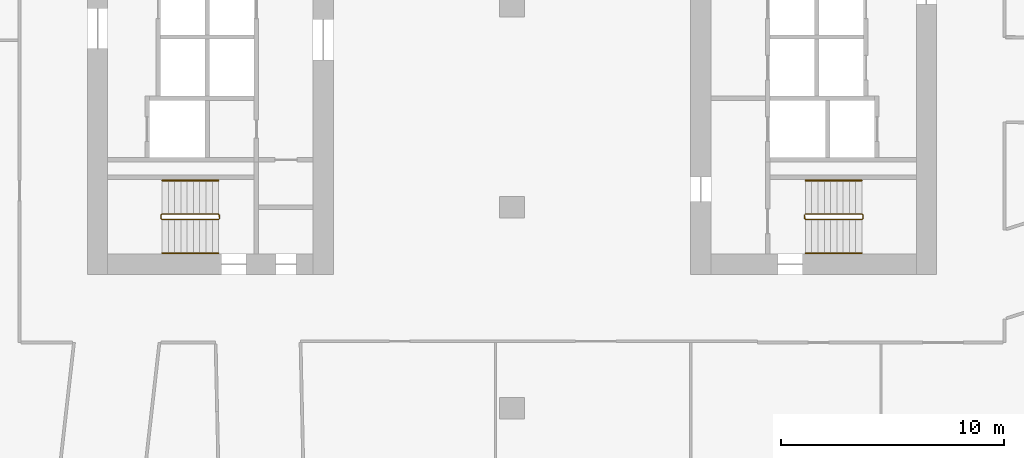
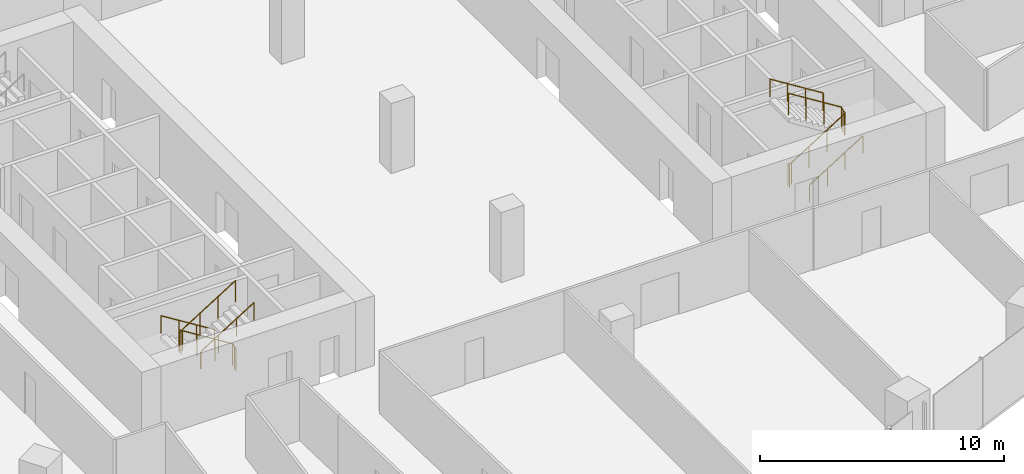
# One storey, part 32 of 34: 6 railings.
"""IFC4 building model written with IfcOpenShell, lengths in metres."""

from ifc_helpers import new_model, si_unit, direction, frame, origin, origin_2d, place, context, subcontext, project, spatial, circle, extrude, material, type_object, element, save


model = new_model("IFC4")

# Units and contexts
model_context = context("Model", 3, precision=1e-05, world=origin(), true_north=direction((0.0, 1.0)))
body_context = subcontext(model_context, "Body", "Model", "MODEL_VIEW")
ifc_project = project(units=[si_unit("LENGTHUNIT", "METRE"), si_unit("AREAUNIT", "SQUARE_METRE"), si_unit("VOLUMEUNIT", "CUBIC_METRE"), si_unit("PLANEANGLEUNIT", "RADIAN"), si_unit("MASSUNIT", "GRAM", prefix="KILO")], contexts=[model_context])

# Site, building, storey
site_placement = place(None, origin())
site = spatial("IfcSite", under=ifc_project, at=site_placement, CompositionType="ELEMENT")
building_placement = place(site_placement, origin())
building = spatial("IfcBuilding", under=site, at=building_placement, Name="Orlundy Tower", CompositionType="ELEMENT")
storey_placement = place(building_placement, frame((0.0, 0.0, 109.199951171875)))
storey = spatial("IfcBuildingStorey", under=building, at=storey_placement, Name="L27", CompositionType="ELEMENT", Elevation=109.199951171875)

# Railings
ifc_material_1 = material(Name="Steel balustrade", Category="steel")
railing_type_1 = type_object("IfcRailingType", Name="Stair Guard 1100", PredefinedType="GUARDRAIL", material=ifc_material_1)
railing_1_placement = place(storey_placement, frame((-13.090087890625, -9.35009765625, 0.0)))
element("IfcRailing", 1, at=railing_1_placement, inside=storey, type_object=railing_type_1, Name="L27 ST-W2 stair guard 1", PredefinedType="GUARDRAIL", context=body_context, shape_type="SweptSolid", body=[
    extrude(circle(Radius=0.02392578125, at=origin_2d()), frame((0.0, 0.0, 1.076171875), z_axis=(0.0, -1.0, 0.0), x_axis=(1.0, 0.0, 0.0)), (0.0, 0.0, 1.0), 0.14990234375),
    extrude(circle(Radius=0.02392578125, at=origin_2d()), frame((0.0, -0.14990234375, 1.076171875), z_axis=(-0.18420542264, 0.739530593833, 0.647427882513), x_axis=(-0.970351222016, -0.241699205484, 0.0)), (0.0, 0.0, 1.0), 0.270263671875),
    extrude(circle(Radius=0.02392578125, at=origin_2d()), frame((-0.0498046875, 0.050048828125, 1.2509765625), z_axis=(-0.848007534815, 0.0, 0.529984170421), x_axis=(0.0, -1.0, 0.0)), (0.0, 0.0, 1.0), 2.9716796875),
    extrude(circle(Radius=0.02392578125, at=origin_2d()), frame((-2.56982421875, 0.050048828125, 2.826171875), z_axis=(-0.707106781187, -0.707106781187, 0.0), x_axis=(0.707106781187, -0.707106781187, 0.0)), (0.0, 0.0, 1.0), 0.07080078125),
    extrude(circle(Radius=0.02392578125, at=origin_2d()), frame((-2.619873046875, 0.0, 2.826171875), z_axis=(0.0, -1.0, 0.0), x_axis=(1.0, 0.0, 0.0)), (0.0, 0.0, 1.0), 0.14990234375),
    extrude(circle(Radius=0.02392578125, at=origin_2d()), frame((-2.619873046875, -0.14990234375, 2.826171875), z_axis=(0.265065253269, -0.265065253269, 0.927081885822), x_axis=(0.707106781187, 0.707106781187, 0.0)), (0.0, 0.0, 1.0), 0.188720703125),
    extrude(circle(Radius=0.02392578125, at=origin_2d()), frame((-2.56982421875, -0.199951171875, 3.0009765625), z_axis=(0.848007534815, 0.0, 0.529984170421), x_axis=(0.0, 1.0, 0.0)), (0.0, 0.0, 1.0), 2.9716796875),
    extrude(circle(Radius=0.02099609375, at=origin_2d()), origin(), (0.0, 0.0, 1.0), 1.052001953125),
    extrude(circle(Radius=0.02099609375, at=origin_2d()), frame((0.0, -0.14990234375, 0.0)), (0.0, 0.0, 1.0), 1.052001953125),
    extrude(circle(Radius=0.02099609375, at=origin_2d()), frame((-0.0498046875, 0.050048828125, 0.175048828125)), (0.0, 0.0, 1.0), 1.052001953125),
    extrude(circle(Radius=0.02099609375, at=origin_2d()), frame((-0.889892578125, 0.050048828125, 0.699951171875)), (0.0, 0.0, 1.0), 1.052001953125),
    extrude(circle(Radius=0.02099609375, at=origin_2d()), frame((-1.729736328125, 0.050048828125, 1.22509765625)), (0.0, 0.0, 1.0), 1.052001953125),
    extrude(circle(Radius=0.02099609375, at=origin_2d()), frame((-2.56982421875, 0.050048828125, 1.75)), (0.0, 0.0, 1.0), 1.052001953125),
    extrude(circle(Radius=0.02099609375, at=origin_2d()), frame((-2.619873046875, 0.0, 1.75)), (0.0, 0.0, 1.0), 1.052001953125),
    extrude(circle(Radius=0.02099609375, at=origin_2d()), frame((-2.619873046875, -0.14990234375, 1.75)), (0.0, 0.0, 1.0), 1.052001953125),
    extrude(circle(Radius=0.02099609375, at=origin_2d()), frame((-2.56982421875, -0.199951171875, 1.925048828125)), (0.0, 0.0, 1.0), 1.052001953125),
    extrude(circle(Radius=0.02099609375, at=origin_2d()), frame((-1.729736328125, -0.199951171875, 2.449951171875)), (0.0, 0.0, 1.0), 1.052001953125),
    extrude(circle(Radius=0.02099609375, at=origin_2d()), frame((-0.889892578125, -0.199951171875, 2.97509765625)), (0.0, 0.0, 1.0), 1.052001953125),
    extrude(circle(Radius=0.02099609375, at=origin_2d()), frame((-0.0498046875, -0.199951171875, 3.5)), (0.0, 0.0, 1.0), 1.052001953125),
])
railing_2_placement = place(storey_placement, frame((13.090087890625, -9.5, 0.0)))
element("IfcRailing", 2, at=railing_2_placement, inside=storey, type_object=railing_type_1, Name="L27 ST-E1 stair guard 1", PredefinedType="GUARDRAIL", context=body_context, shape_type="SweptSolid", body=[
    extrude(circle(Radius=0.02392578125, at=origin_2d()), frame((0.0, 0.0, 1.076171875), z_axis=(0.0, 1.0, 0.0), x_axis=(-1.0, 0.0, 0.0)), (0.0, 0.0, 1.0), 0.14990234375),
    extrude(circle(Radius=0.02392578125, at=origin_2d()), frame((0.0, 0.14990234375, 1.076171875), z_axis=(0.18420542264, -0.739530593833, 0.647427882513), x_axis=(0.970351222016, 0.241699205484, 0.0)), (0.0, 0.0, 1.0), 0.270263671875),
    extrude(circle(Radius=0.02392578125, at=origin_2d()), frame((0.0498046875, -0.050048828125, 1.2509765625), z_axis=(0.848007534815, 0.0, 0.529984170421), x_axis=(0.0, 1.0, 0.0)), (0.0, 0.0, 1.0), 2.9716796875),
    extrude(circle(Radius=0.02392578125, at=origin_2d()), frame((2.56982421875, -0.050048828125, 2.826171875), z_axis=(0.707106781187, 0.707106781187, 0.0), x_axis=(-0.707106781187, 0.707106781187, 0.0)), (0.0, 0.0, 1.0), 0.07080078125),
    extrude(circle(Radius=0.02392578125, at=origin_2d()), frame((2.619873046875, 0.0, 2.826171875), z_axis=(0.0, 1.0, 0.0), x_axis=(-1.0, 0.0, 0.0)), (0.0, 0.0, 1.0), 0.14990234375),
    extrude(circle(Radius=0.02392578125, at=origin_2d()), frame((2.619873046875, 0.14990234375, 2.826171875), z_axis=(-0.265065253269, 0.265065253269, 0.927081885822), x_axis=(-0.707106781187, -0.707106781187, 0.0)), (0.0, 0.0, 1.0), 0.188720703125),
    extrude(circle(Radius=0.02392578125, at=origin_2d()), frame((2.56982421875, 0.199951171875, 3.0009765625), z_axis=(-0.848007534815, 0.0, 0.529984170421), x_axis=(0.0, -1.0, 0.0)), (0.0, 0.0, 1.0), 2.9716796875),
    extrude(circle(Radius=0.02099609375, at=origin_2d()), origin(), (0.0, 0.0, 1.0), 1.052001953125),
    extrude(circle(Radius=0.02099609375, at=origin_2d()), frame((0.0, 0.14990234375, 0.0)), (0.0, 0.0, 1.0), 1.052001953125),
    extrude(circle(Radius=0.02099609375, at=origin_2d()), frame((0.0498046875, -0.050048828125, 0.175048828125)), (0.0, 0.0, 1.0), 1.052001953125),
    extrude(circle(Radius=0.02099609375, at=origin_2d()), frame((0.889892578125, -0.050048828125, 0.699951171875)), (0.0, 0.0, 1.0), 1.052001953125),
    extrude(circle(Radius=0.02099609375, at=origin_2d()), frame((1.729736328125, -0.050048828125, 1.22509765625)), (0.0, 0.0, 1.0), 1.052001953125),
    extrude(circle(Radius=0.02099609375, at=origin_2d()), frame((2.56982421875, -0.050048828125, 1.75)), (0.0, 0.0, 1.0), 1.052001953125),
    extrude(circle(Radius=0.02099609375, at=origin_2d()), frame((2.619873046875, 0.0, 1.75)), (0.0, 0.0, 1.0), 1.052001953125),
    extrude(circle(Radius=0.02099609375, at=origin_2d()), frame((2.619873046875, 0.14990234375, 1.75)), (0.0, 0.0, 1.0), 1.052001953125),
    extrude(circle(Radius=0.02099609375, at=origin_2d()), frame((2.56982421875, 0.199951171875, 1.925048828125)), (0.0, 0.0, 1.0), 1.052001953125),
    extrude(circle(Radius=0.02099609375, at=origin_2d()), frame((1.729736328125, 0.199951171875, 2.449951171875)), (0.0, 0.0, 1.0), 1.052001953125),
    extrude(circle(Radius=0.02099609375, at=origin_2d()), frame((0.889892578125, 0.199951171875, 2.97509765625)), (0.0, 0.0, 1.0), 1.052001953125),
    extrude(circle(Radius=0.02099609375, at=origin_2d()), frame((0.0498046875, 0.199951171875, 3.5)), (0.0, 0.0, 1.0), 1.052001953125),
])
ifc_material_2 = material(Name="Steel handrail", Category="steel")
railing_type_2 = type_object("IfcRailingType", Name="Stair Handrail 900", PredefinedType="HANDRAIL", material=ifc_material_2)
railing_3_placement = place(storey_placement, frame((-13.139892578125, -7.800048828125, 0.175048828125)))
element("IfcRailing", 3, at=railing_3_placement, inside=storey, type_object=railing_type_2, Name="L27 ST-W2 stair handrail 1", PredefinedType="HANDRAIL", context=body_context, shape_type="SweptSolid", body=[
    extrude(circle(Radius=0.02392578125, at=origin_2d()), frame((0.0, 0.0, 0.8759765625), z_axis=(-0.848007534815, 0.0, 0.529984170421), x_axis=(0.0, -1.0, 0.0)), (0.0, 0.0, 1.0), 2.9716796875),
    extrude(circle(Radius=0.02099609375, at=origin_2d()), origin(), (0.0, 0.0, 1.0), 0.851806640625),
    extrude(circle(Radius=0.02099609375, at=origin_2d()), frame((-0.840087890625, 0.0, 0.52490234375)), (0.0, 0.0, 1.0), 0.851806640625),
    extrude(circle(Radius=0.02099609375, at=origin_2d()), frame((-1.679931640625, 0.0, 1.050048828125)), (0.0, 0.0, 1.0), 0.851806640625),
    extrude(circle(Radius=0.02099609375, at=origin_2d()), frame((-2.52001953125, 0.0, 1.574951171875)), (0.0, 0.0, 1.0), 0.851806640625),
])
for number, where, name in (
    (4, (-15.659912109375, -11.050048828125, 1.925048828125), "L27 ST-W2 stair handrail 2"),
    (5, (13.139892578125, -11.050048828125, 0.175048828125), "L27 ST-E1 stair handrail 1"),
):
    element("IfcRailing", number, at=place(storey_placement, frame(where)), inside=storey, type_object=railing_type_2, Name=name, PredefinedType="HANDRAIL", context=body_context, shape_type="SweptSolid", body=[
        extrude(circle(Radius=0.02392578125, at=origin_2d()), frame((0.0, 0.0, 0.8759765625), z_axis=(0.848007534815, 0.0, 0.529984170421), x_axis=(0.0, 1.0, 0.0)), (0.0, 0.0, 1.0), 2.9716796875),
        extrude(circle(Radius=0.02099609375, at=origin_2d()), origin(), (0.0, 0.0, 1.0), 0.851806640625),
        extrude(circle(Radius=0.02099609375, at=origin_2d()), frame((0.840087890625, 0.0, 0.52490234375)), (0.0, 0.0, 1.0), 0.851806640625),
        extrude(circle(Radius=0.02099609375, at=origin_2d()), frame((1.679931640625, 0.0, 1.050048828125)), (0.0, 0.0, 1.0), 0.851806640625),
        extrude(circle(Radius=0.02099609375, at=origin_2d()), frame((2.52001953125, 0.0, 1.574951171875)), (0.0, 0.0, 1.0), 0.851806640625),
    ])
railing_4_placement = place(storey_placement, frame((15.659912109375, -7.800048828125, 1.925048828125)))
element("IfcRailing", 6, at=railing_4_placement, inside=storey, type_object=railing_type_2, Name="L27 ST-E1 stair handrail 2", PredefinedType="HANDRAIL", context=body_context, shape_type="SweptSolid", body=[
    extrude(circle(Radius=0.02392578125, at=origin_2d()), frame((0.0, 0.0, 0.8759765625), z_axis=(-0.848007534815, 0.0, 0.529984170421), x_axis=(0.0, -1.0, 0.0)), (0.0, 0.0, 1.0), 2.9716796875),
    extrude(circle(Radius=0.02099609375, at=origin_2d()), origin(), (0.0, 0.0, 1.0), 0.851806640625),
    extrude(circle(Radius=0.02099609375, at=origin_2d()), frame((-0.840087890625, 0.0, 0.52490234375)), (0.0, 0.0, 1.0), 0.851806640625),
    extrude(circle(Radius=0.02099609375, at=origin_2d()), frame((-1.679931640625, 0.0, 1.050048828125)), (0.0, 0.0, 1.0), 0.851806640625),
    extrude(circle(Radius=0.02099609375, at=origin_2d()), frame((-2.52001953125, 0.0, 1.574951171875)), (0.0, 0.0, 1.0), 0.851806640625),
])

save(model, "model.ifc")
